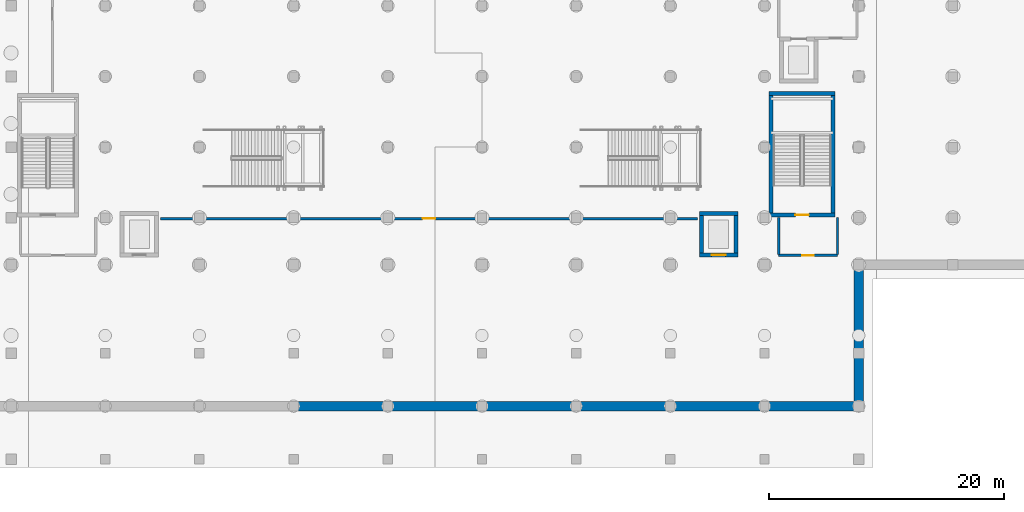
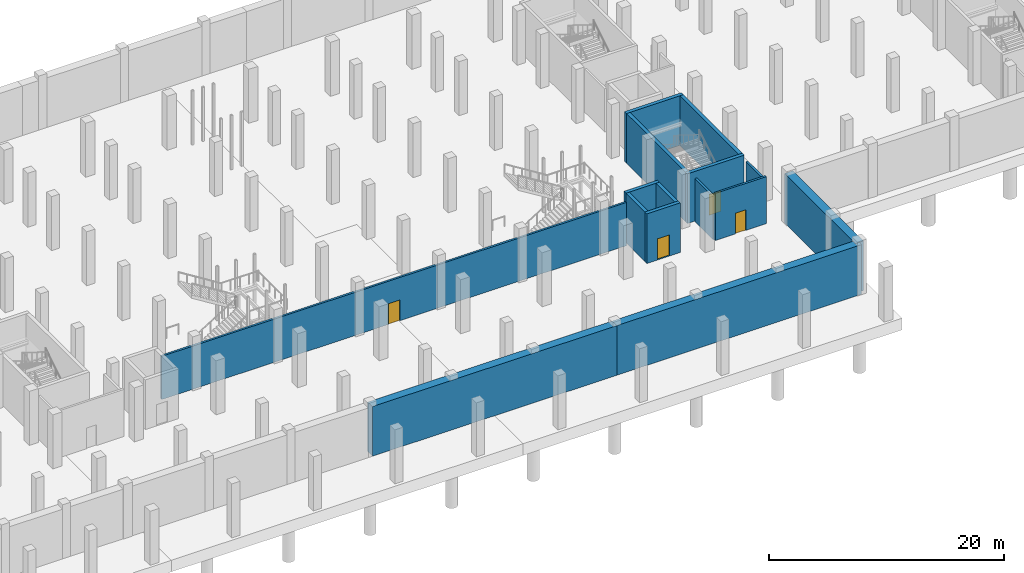
# One storey, part 13 of 26: 15 walls, 4 doors, 4 openings.
"""IFC4 building model written with IfcOpenShell, lengths in metres."""

import ifcopenshell
import ifcopenshell.guid

model = None  # the IFC model being written
_history = None  # IfcOwnerHistory: only IFC2X3 demands one
_inside = {}  # id of a spatial element -> (the spatial element, [elements in it])
_under = {}  # id of a project, library or spatial element -> (it, [spatial elements below it])
_declared = {}  # id of a project -> (the project, [libraries it declares])
_typed = {}  # id of a type object -> (the type object, [elements of that type])
_made_of = {}  # id of a material, layer set ... -> (it, [elements and type objects made of it])


def new_model(schema):
    """Start an empty IFC model of exactly this schema.

    Asked for "IFC4X3", IfcOpenShell would pick the latest addendum, in which some entities
    have other attributes; the version numbers below select the first issue.
    IFC2X3 requires an IfcOwnerHistory on every rooted entity: one is made here for all.
    """
    global model, _history
    if schema == "IFC4X3":
        model = ifcopenshell.file(schema_version=(4, 3, 0, 0))
    else:
        model = ifcopenshell.file(schema=schema)
    _inside.clear()
    _under.clear()
    _declared.clear()
    _typed.clear()
    _made_of.clear()
    _history = None
    if model.schema == "IFC2X3":
        org = make("IfcOrganization", Name="unknown")
        user = make(
            "IfcPersonAndOrganization",
            ThePerson=make("IfcPerson", FamilyName="unknown"),
            TheOrganization=org,
        )
        app = make(
            "IfcApplication",
            ApplicationDeveloper=org,
            Version="unknown",
            ApplicationFullName="unknown",
            ApplicationIdentifier="unknown",
        )
        _history = make(
            "IfcOwnerHistory",
            OwningUser=user,
            OwningApplication=app,
            ChangeAction="ADDED",
            CreationDate=0,
        )
    return model


def make(cls, **values):
    """One entity of the class cls with the attributes given. An attribute that is None is left unset."""
    return model.create_entity(
        cls, **{name: value for name, value in values.items() if value is not None}
    )


def rooted(cls, **values):
    """An entity with a GlobalId (a new one), such as an element, a storey or a relation."""
    return make(cls, GlobalId=ifcopenshell.guid.new(), OwnerHistory=_history, **values)


def si_unit(unit_type, name, prefix=None):
    """IfcSIUnit, for example si_unit("LENGTHUNIT", "METRE", prefix="MILLI")."""
    return make("IfcSIUnit", UnitType=unit_type, Prefix=prefix, Name=name)


def assignment(units):
    """IfcUnitAssignment: the units of a project."""
    return None if units is None else make("IfcUnitAssignment", Units=units)


def point(xyz):
    """IfcCartesianPoint."""
    return None if xyz is None else make("IfcCartesianPoint", Coordinates=xyz)


def direction(xyz):
    """IfcDirection."""
    return None if xyz is None else make("IfcDirection", DirectionRatios=xyz)


def frame(location, z_axis=None, x_axis=None):
    """IfcAxis2Placement3D, a coordinate frame: its origin and axes. An axis left out is left unset."""
    return make(
        "IfcAxis2Placement3D",
        Location=point(location),
        Axis=direction(z_axis),
        RefDirection=direction(x_axis),
    )


def frame_2d(location, x_axis=None):
    """IfcAxis2Placement2D, a coordinate frame in the plane: its origin and x axis."""
    return make(
        "IfcAxis2Placement2D", Location=point(location), RefDirection=direction(x_axis)
    )


def origin():
    """The frame at (0, 0, 0) with its axes left unset."""
    return frame((0.0, 0.0, 0.0))


def place(relative_to, where):
    """IfcLocalPlacement: puts the frame where relative to a parent placement (None: the world)."""
    return make(
        "IfcLocalPlacement", PlacementRelTo=relative_to, RelativePlacement=where
    )


def context(
    kind, dimensions, precision=None, world=None, true_north=None, identifier=None
):
    """IfcGeometricRepresentationContext, for example the 3D "Model" context."""
    return make(
        "IfcGeometricRepresentationContext",
        ContextIdentifier=identifier,
        ContextType=kind,
        CoordinateSpaceDimension=dimensions,
        Precision=precision,
        WorldCoordinateSystem=world,
        TrueNorth=true_north,
    )


def subcontext(parent, identifier, kind, view, scale=None):
    """IfcGeometricRepresentationSubContext, for example "Body" below "Model"."""
    return make(
        "IfcGeometricRepresentationSubContext",
        ContextIdentifier=identifier,
        ContextType=kind,
        ParentContext=parent,
        TargetScale=scale,
        TargetView=view,
    )


def project(units=None, contexts=None):
    """IfcProject with its units and contexts."""
    return rooted(
        "IfcProject",
        Name="project",
        RepresentationContexts=contexts,
        UnitsInContext=assignment(units),
    )


def spatial(cls, under=None, at=None, **own):
    """A site, building, storey or space (cls), placed at a placement, below another one or the project."""
    s = rooted(cls, ObjectPlacement=at, **own)
    if under is not None:
        _under.setdefault(under.id(), (under, []))[1].append(s)
    return s


def profile(cls, at=None, kind="AREA", **sizes):
    """A parametric profile (cls). Its sizes go by their IFC names, for example OverallWidth=200.0."""
    return make(cls, ProfileType=kind, Position=at, **sizes)


def rectangle(**sizes):
    """IfcRectangleProfileDef."""
    return profile("IfcRectangleProfileDef", **sizes)


def extrude(swept, where, along, depth):
    """IfcExtrudedAreaSolid: the profile swept, set in the frame where, extruded along a direction by depth."""
    return make(
        "IfcExtrudedAreaSolid",
        SweptArea=swept,
        Position=where,
        ExtrudedDirection=direction(along),
        Depth=depth,
    )


def shape(context_of_items, identifier, shape_type, items):
    """IfcShapeRepresentation: the items that make up one representation, for example the "Body"."""
    return make(
        "IfcShapeRepresentation",
        ContextOfItems=context_of_items,
        RepresentationIdentifier=identifier,
        RepresentationType=shape_type,
        Items=items,
    )


def material(Name=None, Category=None):
    """IfcMaterial."""
    return make("IfcMaterial", Name=Name, Category=Category)


def layer(
    of_material, thickness, ventilated=None, Name=None, Category=None, Priority=None
):
    """IfcMaterialLayer: one layer of a wall or slab, of a material (None: an air gap)."""
    return make(
        "IfcMaterialLayer",
        Material=of_material,
        LayerThickness=thickness,
        IsVentilated=ventilated,
        Name=Name,
        Category=Category,
        Priority=Priority,
    )


def layer_set(layers, Name=None):
    """IfcMaterialLayerSet."""
    return make("IfcMaterialLayerSet", MaterialLayers=layers, LayerSetName=Name)


def made_of(thing, what):
    """Note that an element or type object is made of a material, layer set ...; save() writes the relation."""
    if what is not None:
        _made_of.setdefault(what.id(), (what, []))[1].append(thing)
    return thing


def type_object(cls, material=None, **own):
    """A type object (cls), such as IfcWallType, which elements share."""
    return made_of(rooted(cls, **own), material)


def element(
    cls,
    number,
    at=None,
    inside=None,
    cuts=None,
    type_object=None,
    material=None,
    context=None,
    identifier="Body",
    shape_type=None,
    held_by="IfcProductDefinitionShape",
    body=None,
    shapes=None,
    **own,
):
    """One element of the class cls, such as IfcWall. Its Tag is "e" and its number.

    at: its placement. inside: the storey or other place that contains it. cuts: it is an
    opening in that element (IfcRelVoidsElement). A single representation is given by context,
    identifier, shape_type and body (its items); several are given by shapes. held_by: the class
    of the entity that holds the representations. save() writes the other relations.
    """
    e = rooted(cls, Tag="e%d" % number, ObjectPlacement=at, **own)
    if body is not None:
        shapes = [shape(context, identifier, shape_type, body)]
    if shapes is not None:
        e.Representation = make(held_by, Representations=shapes)
    if inside is not None:
        _inside.setdefault(inside.id(), (inside, []))[1].append(e)
    if cuts is not None:
        rooted(
            "IfcRelVoidsElement", RelatingBuildingElement=cuts, RelatedOpeningElement=e
        )
    if type_object is not None:
        _typed.setdefault(type_object.id(), (type_object, []))[1].append(e)
    return made_of(e, material)


def fill(opening, filler):
    """IfcRelFillsElement: the door or window that sits in an opening."""
    return rooted(
        "IfcRelFillsElement",
        RelatingOpeningElement=opening,
        RelatedBuildingElement=filler,
    )


def aggregate(whole, parts):
    """IfcRelAggregates: a whole, such as a stair, and the parts it consists of."""
    return rooted("IfcRelAggregates", RelatingObject=whole, RelatedObjects=parts)


def save(model, path):
    """Write the relations noted so far, then the file.

    IfcRelAggregates (storeys below a building ...), IfcRelContainedInSpatialStructure (elements
    in a storey), IfcRelDefinesByType, IfcRelAssociatesMaterial and IfcRelDeclares: one each for
    every whole, place, type object, material and project.
    """
    for whole, parts in _under.values():
        aggregate(whole, parts)
    for where, things in _inside.values():
        rooted(
            "IfcRelContainedInSpatialStructure",
            RelatedElements=things,
            RelatingStructure=where,
        )
    for kind, things in _typed.values():
        rooted("IfcRelDefinesByType", RelatedObjects=things, RelatingType=kind)
    for what, things in _made_of.values():
        rooted("IfcRelAssociatesMaterial", RelatedObjects=things, RelatingMaterial=what)
    for by, libraries in _declared.values():
        rooted("IfcRelDeclares", RelatingContext=by, RelatedDefinitions=libraries)
    model.write(path)


model = new_model("IFC4")

# Units and contexts
model_context = context("Model", 3, precision=1e-05, world=origin(), true_north=direction((0.0, 1.0)))
body_context = subcontext(model_context, "Body", "Model", "MODEL_VIEW")
ifc_project = project(units=[si_unit("LENGTHUNIT", "METRE"), si_unit("AREAUNIT", "SQUARE_METRE"), si_unit("VOLUMEUNIT", "CUBIC_METRE"), si_unit("PLANEANGLEUNIT", "RADIAN"), si_unit("MASSUNIT", "GRAM", prefix="KILO")], contexts=[model_context])

# Site, building, storey
site_placement = place(None, origin())
site = spatial("IfcSite", under=ifc_project, at=site_placement, CompositionType="ELEMENT")
building_placement = place(site_placement, origin())
building = spatial("IfcBuilding", under=site, at=building_placement, Name="Verrall Gate Interchange", CompositionType="ELEMENT")
storey_placement = place(building_placement, frame((0.0, 0.0, -10.39990234375)))
storey = spatial("IfcBuildingStorey", under=building, at=storey_placement, Name="B2", CompositionType="ELEMENT", Elevation=-10.39990234375)

# Wall, opening, door
ifc_material_1 = material(Name="Fire-Rated Type X Gypsum Stud Partition Assembly (60 min)", Category="gypsum")
ifc_layer_1 = layer(ifc_material_1, 0.199951171875)
ifc_layer_set_1 = layer_set([ifc_layer_1], Name="Fire-Rated Type X Gypsum Stud Partition Assembly (60 min)")
wall_type_1 = type_object("IfcWallType", Name="IW-01 Interior Partition Wall 200", PredefinedType="PARTITIONING", material=ifc_layer_set_1)
wall_1_placement = place(storey_placement, frame((101.199951171875, 12.800048828125, 0.0), z_axis=(0.0, 0.0, 1.0), x_axis=(1.0, 0.0, 0.0)))
wall_1 = element("IfcWall", 1, at=wall_1_placement, inside=storey, type_object=wall_type_1, Name="B2 Core C6 Lobby South Rated Wall", PredefinedType="PARTITIONING", context=body_context, shape_type="SweptSolid", body=[
    extrude(rectangle(XDim=5.0, YDim=0.199951171875, at=frame_2d((2.5, 0.0))), origin(), (0.0, 0.0, 1.0), 4.8828125),
])
opening_1_placement = place(wall_1_placement, frame((2.0, 0.0, 0.0)))
opening_1 = element("IfcOpeningElement", 2, at=opening_1_placement, cuts=wall_1, Name="Opening LBD075", PredefinedType="OPENING", context=body_context, shape_type="SweptSolid", body=[
    extrude(rectangle(XDim=1.0, YDim=2.14990234375, at=frame_2d((0.5, 1.074951171875))), frame((0.0, 0.11474609375, 0.0), z_axis=(0.0, -1.0, 0.0), x_axis=(1.0, 0.0, 0.0)), (0.0, 0.0, 1.0), 0.229736328125),
])
ifc_material_2 = material(Name="Hollow-Metal Fire-Rated Door Assembly", Category="metal")
door_type_1 = type_object("IfcDoorType", Name="ID-05 Interior Swing Door 1000x2150", OperationType="NOTDEFINED", PredefinedType="DOOR", material=ifc_material_2)
door_1_placement = place(opening_1_placement, origin())
door_1 = element("IfcDoor", 3, at=door_1_placement, inside=storey, type_object=door_type_1, Name="B2 Core C6 Lobby Fire Door LBD075", OperationType="SINGLE_SWING_LEFT", OverallHeight=2.14990234375, OverallWidth=1.0, PredefinedType="DOOR", context=body_context, shape_type="SweptSolid", body=[
    extrude(rectangle(XDim=1.0, YDim=2.14990234375, at=frame_2d((0.5, 1.074951171875))), frame((0.0, 0.02490234375, 0.0), z_axis=(0.0, -1.0, 0.0), x_axis=(1.0, 0.0, 0.0)), (0.0, 0.0, 1.0), 0.050048828125),
])
fill(opening_1, door_1)

# Walls
for number, where, z_axis, x_axis, name in (
    (4, (101.199951171875, 16.0, 0.0), (0.0, 0.0, 1.0), (0.0, -1.0, 0.0), "B2 Core C6 Lobby West Rated Wall"),
    (5, (106.199951171875, 12.8798828125, 0.0), (0.0, 0.0, 1.0), (0.0, 1.0, 0.0), "B2 Core C6 Lobby East Rated Wall"),
):
    element("IfcWall", number, at=place(storey_placement, frame(where, z_axis=z_axis, x_axis=x_axis)), inside=storey, type_object=wall_type_1, Name=name, PredefinedType="PARTITIONING", context=body_context, shape_type="SweptSolid", body=[
        extrude(rectangle(XDim=3.1201171875, YDim=0.199951171875, at=frame_2d((1.56005859375, 0.0))), origin(), (0.0, 0.0, 1.0), 4.47998046875),
    ])

# Wall, opening, door
wall_2_placement = place(storey_placement, frame((48.699951171875, 15.919921875, 0.0), z_axis=(0.0, 0.0, 1.0), x_axis=(1.0, 0.0, 0.0)))
wall_2 = element("IfcWall", 6, at=wall_2_placement, inside=storey, type_object=wall_type_1, Name="B2 Southbound LRT Trackway and Exhaust Plenum Partition 007", PredefinedType="PARTITIONING", context=body_context, shape_type="SweptSolid", body=[
    extrude(rectangle(XDim=45.60009765625, YDim=0.199951171875, at=frame_2d((22.800048828125, 0.0))), origin(), (0.0, 0.0, 1.0), 4.47998046875),
])
opening_2_placement = place(wall_2_placement, frame((22.25, 0.0, 0.0)))
opening_2 = element("IfcOpeningElement", 7, at=opening_2_placement, cuts=wall_2, Name="Opening D007", PredefinedType="OPENING", context=body_context, shape_type="SweptSolid", body=[
    extrude(rectangle(XDim=1.10009765625, YDim=2.14990234375, at=frame_2d((0.550048828125, 1.074951171875))), frame((0.0, 0.11474609375, 0.0), z_axis=(0.0, -1.0, 0.0), x_axis=(1.0, 0.0, 0.0)), (0.0, 0.0, 1.0), 0.229736328125),
])
ifc_material_3 = material(Name="Hollow-Metal Fire-Rated Door Assembly", Category="metal")
door_type_2 = type_object("IfcDoorType", Name="ID-06 Interior Swing Door 1100x2150", OperationType="NOTDEFINED", PredefinedType="DOOR", material=ifc_material_3)
door_2_placement = place(opening_2_placement, origin())
door_2 = element("IfcDoor", 8, at=door_2_placement, inside=storey, type_object=door_type_2, Name="B2 Southbound LRT Trackway and Exhaust Plenum Door D007", OperationType="SINGLE_SWING_RIGHT", OverallHeight=2.14990234375, OverallWidth=1.10009765625, PredefinedType="DOOR", context=body_context, shape_type="SweptSolid", body=[
    extrude(rectangle(XDim=1.10009765625, YDim=2.14990234375, at=frame_2d((0.550048828125, 1.074951171875))), frame((0.0, 0.02490234375, 0.0), z_axis=(0.0, -1.0, 0.0), x_axis=(1.0, 0.0, 0.0)), (0.0, 0.0, 1.0), 0.050048828125),
])
fill(opening_2, door_2)

# Walls
ifc_material_4 = material(Name="Concrete CSA A23.1 35 MPa (Class S-2)", Category="concrete")
ifc_layer_2 = layer(ifc_material_4, 0.800048828125)
ifc_layer_set_2 = layer_set([ifc_layer_2], Name="Concrete CSA A23.1 35 MPa (Class S-2)")
wall_type_2 = type_object("IfcWallType", Name="RW-01 Diaphragm Retaining Wall 800", PredefinedType="USERDEFINED", material=ifc_layer_set_2)
for number, where, z_axis, x_axis, name in (
    (9, (60.0, 0.0, 0.0), (0.0, 0.0, 1.0), (1.0, 0.0, 0.0), "B2 Diaphragm Retaining Wall 004"),
    (10, (84.0, 0.0, 0.0), (0.0, 0.0, 1.0), (1.0, 0.0, 0.0), "B2 Diaphragm Retaining Wall 005"),
):
    element("IfcWall", number, at=place(storey_placement, frame(where, z_axis=z_axis, x_axis=x_axis)), inside=storey, type_object=wall_type_2, Name=name, ObjectType="RETAININGWALL", PredefinedType="USERDEFINED", context=body_context, shape_type="SweptSolid", body=[
        extrude(rectangle(XDim=24.0, YDim=0.800048828125, at=frame_2d((12.0, 0.0))), origin(), (0.0, 0.0, 1.0), 5.14990234375),
    ])
wall_3_placement = place(storey_placement, frame((108.0, 0.0, 0.0), z_axis=(0.0, 0.0, 1.0), x_axis=(0.0, 1.0, 0.0)))
element("IfcWall", 11, at=wall_3_placement, inside=storey, type_object=wall_type_2, Name="B2 Diaphragm Retaining Wall 006", ObjectType="RETAININGWALL", PredefinedType="USERDEFINED", context=body_context, shape_type="SweptSolid", body=[
    extrude(rectangle(XDim=12.0, YDim=0.800048828125, at=frame_2d((6.0, 0.0))), origin(), (0.0, 0.0, 1.0), 5.14990234375),
])

# Wall, opening, door
ifc_material_5 = material(Name="Concrete CSA A23.1 40 MPa (Class N)", Category="concrete")
ifc_layer_3 = layer(ifc_material_5, 0.340087890625)
ifc_layer_set_3 = layer_set([ifc_layer_3], Name="Concrete CSA A23.1 40 MPa (Class N)")
wall_type_3 = type_object("IfcWallType", Name="SW-02 Core Shear Wall 340", PredefinedType="SHEAR", material=ifc_layer_set_3)
wall_4_placement = place(storey_placement, frame((100.39990234375, 16.22998046875, 0.0), z_axis=(0.0, 0.0, 1.0), x_axis=(1.0, 0.0, 0.0)))
wall_4 = element("IfcWall", 12, at=wall_4_placement, inside=storey, type_object=wall_type_3, Name="B2 Core C6 South Shear Wall", PredefinedType="SHEAR", context=body_context, shape_type="SweptSolid", body=[
    extrude(rectangle(XDim=5.580078125, YDim=0.340087890625, at=frame_2d((2.7900390625, 0.0))), origin(), (0.0, 0.0, 1.0), 5.14990234375),
])
opening_3_placement = place(wall_4_placement, frame((2.215087890625, 0.0, 0.0)))
opening_3 = element("IfcOpeningElement", 13, at=opening_3_placement, cuts=wall_4, Name="Opening SD071", PredefinedType="OPENING", context=body_context, shape_type="SweptSolid", body=[
    extrude(rectangle(XDim=1.14990234375, YDim=2.14990234375, at=frame_2d((0.574951171875, 1.074951171875))), frame((0.0, 0.18505859375, 0.0), z_axis=(0.0, -1.0, 0.0), x_axis=(1.0, 0.0, 0.0)), (0.0, 0.0, 1.0), 0.369873046875),
])
ifc_material_6 = material(Name="Hollow-Metal Fire-Rated Door Assembly", Category="metal")
door_type_3 = type_object("IfcDoorType", Name="ID-02 Interior Swing Door 1150x2150", OperationType="NOTDEFINED", PredefinedType="DOOR", material=ifc_material_6)
door_3_placement = place(opening_3_placement, origin())
door_3 = element("IfcDoor", 14, at=door_3_placement, inside=storey, type_object=door_type_3, Name="B2 Stair ST-06 Fire Door SD071", OperationType="SINGLE_SWING_LEFT", OverallHeight=2.14990234375, OverallWidth=1.14990234375, PredefinedType="DOOR", context=body_context, shape_type="SweptSolid", body=[
    extrude(rectangle(XDim=1.14990234375, YDim=2.14990234375, at=frame_2d((0.574951171875, 1.074951171875))), frame((0.0, 0.02490234375, 0.0), z_axis=(0.0, -1.0, 0.0), x_axis=(1.0, 0.0, 0.0)), (0.0, 0.0, 1.0), 0.050048828125),
])
fill(opening_3, door_3)

# Walls
wall_5_placement = place(storey_placement, frame((105.97998046875, 26.570068359375, 0.0), z_axis=(0.0, 0.0, 1.0), x_axis=(-1.0, 0.0, 0.0)))
element("IfcWall", 15, at=wall_5_placement, inside=storey, type_object=wall_type_3, Name="B2 Core C6 North Shear Wall", PredefinedType="SHEAR", context=body_context, shape_type="SweptSolid", body=[
    extrude(rectangle(XDim=5.580078125, YDim=0.340087890625, at=frame_2d((2.7900390625, 0.0))), origin(), (0.0, 0.0, 1.0), 5.14990234375),
])
for number, where, z_axis, x_axis, name in (
    (16, (100.570068359375, 26.39990234375, 0.0), (0.0, 0.0, 1.0), (0.0, -1.0, 0.0), "B2 Core C6 West Shear Wall"),
    (17, (105.81005859375, 16.39990234375, 0.0), (0.0, 0.0, 1.0), (0.0, 1.0, 0.0), "B2 Core C6 East Shear Wall"),
):
    element("IfcWall", number, at=place(storey_placement, frame(where, z_axis=z_axis, x_axis=x_axis)), inside=storey, type_object=wall_type_3, Name=name, PredefinedType="SHEAR", context=body_context, shape_type="SweptSolid", body=[
        extrude(rectangle(XDim=10.0, YDim=0.340087890625, at=frame_2d((5.0, 0.0))), origin(), (0.0, 0.0, 1.0), 5.14990234375),
    ])

# Wall, opening, door
wall_6_placement = place(storey_placement, frame((94.4599609375, 12.830078125, 0.0), z_axis=(0.0, 0.0, 1.0), x_axis=(1.0, 0.0, 0.0)))
wall_6 = element("IfcWall", 18, at=wall_6_placement, inside=storey, type_object=wall_type_3, Name="B2 Elevator EL-04 South Shaft Wall", PredefinedType="SHEAR", context=body_context, shape_type="SweptSolid", body=[
    extrude(rectangle(XDim=3.280029296875, YDim=0.340087890625, at=frame_2d((1.64013671875, 0.0))), origin(), (0.0, 0.0, 1.0), 5.14990234375),
])
opening_4_placement = place(wall_6_placement, frame((1.0400390625, 0.0, 0.0)))
opening_4 = element("IfcOpeningElement", 19, at=opening_4_placement, cuts=wall_6, Name="Opening LD-04-B2", PredefinedType="OPENING", context=body_context, shape_type="SweptSolid", body=[
    extrude(rectangle(XDim=1.199951171875, YDim=2.199951171875, at=frame_2d((0.60009765625, 1.10009765625))), frame((0.0, 0.18505859375, 0.0), z_axis=(0.0, -1.0, 0.0), x_axis=(1.0, 0.0, 0.0)), (0.0, 0.0, 1.0), 0.369873046875),
])
ifc_material_7 = material(Name="Stainless-Steel Elevator Landing Sliding Door Assembly", Category="steel")
door_type_4 = type_object("IfcDoorType", Name="LD-02 Elevator Sliding Landing Door 1200x2200", OperationType="NOTDEFINED", PredefinedType="DOOR", material=ifc_material_7)
door_4_placement = place(opening_4_placement, origin())
door_4 = element("IfcDoor", 20, at=door_4_placement, inside=storey, type_object=door_type_4, Name="B2 Elevator EL-04 Sliding Landing Door", OperationType="DOUBLE_DOOR_SLIDING", OverallHeight=2.199951171875, OverallWidth=1.199951171875, PredefinedType="DOOR", context=body_context, shape_type="SweptSolid", body=[
    extrude(rectangle(XDim=1.199951171875, YDim=2.199951171875, at=frame_2d((0.60009765625, 1.10009765625))), frame((0.0, 0.02490234375, 0.0), z_axis=(0.0, -1.0, 0.0), x_axis=(1.0, 0.0, 0.0)), (0.0, 0.0, 1.0), 0.050048828125),
])
fill(opening_4, door_4)

# Walls
wall_7_placement = place(storey_placement, frame((97.739990234375, 16.3701171875, 0.0), z_axis=(0.0, 0.0, 1.0), x_axis=(-1.0, 0.0, 0.0)))
element("IfcWall", 21, at=wall_7_placement, inside=storey, type_object=wall_type_3, Name="B2 Elevator EL-04 North Shaft Wall", PredefinedType="SHEAR", context=body_context, shape_type="SweptSolid", body=[
    extrude(rectangle(XDim=3.280029296875, YDim=0.340087890625, at=frame_2d((1.64013671875, 0.0))), origin(), (0.0, 0.0, 1.0), 5.14990234375),
])
for number, where, z_axis, x_axis, name in (
    (22, (94.6298828125, 16.199951171875, 0.0), (0.0, 0.0, 1.0), (0.0, -1.0, 0.0), "B2 Elevator EL-04 West Shaft Wall"),
    (23, (97.570068359375, 13.0, 0.0), (0.0, 0.0, 1.0), (0.0, 1.0, 0.0), "B2 Elevator EL-04 East Shaft Wall"),
):
    element("IfcWall", number, at=place(storey_placement, frame(where, z_axis=z_axis, x_axis=x_axis)), inside=storey, type_object=wall_type_3, Name=name, PredefinedType="SHEAR", context=body_context, shape_type="SweptSolid", body=[
        extrude(rectangle(XDim=3.199951171875, YDim=0.340087890625, at=frame_2d((1.60009765625, 0.0))), origin(), (0.0, 0.0, 1.0), 5.14990234375),
    ])

save(model, "model.ifc")
